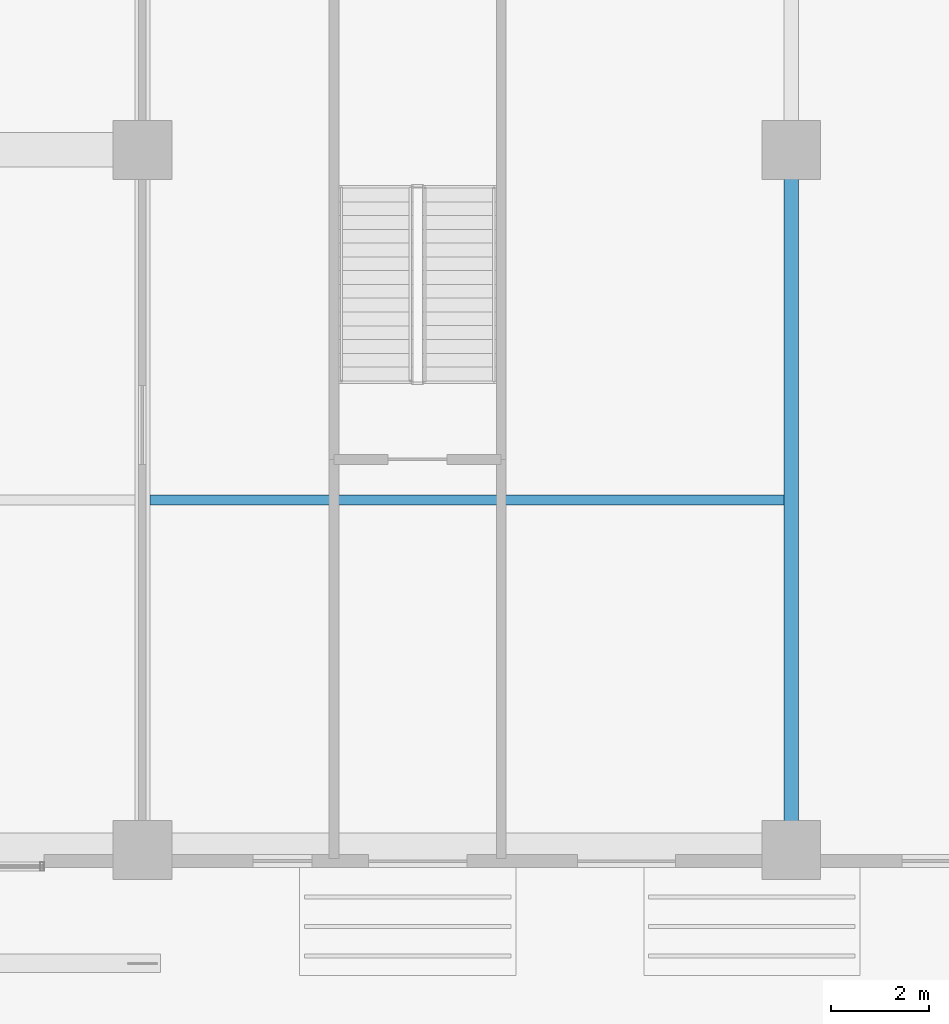
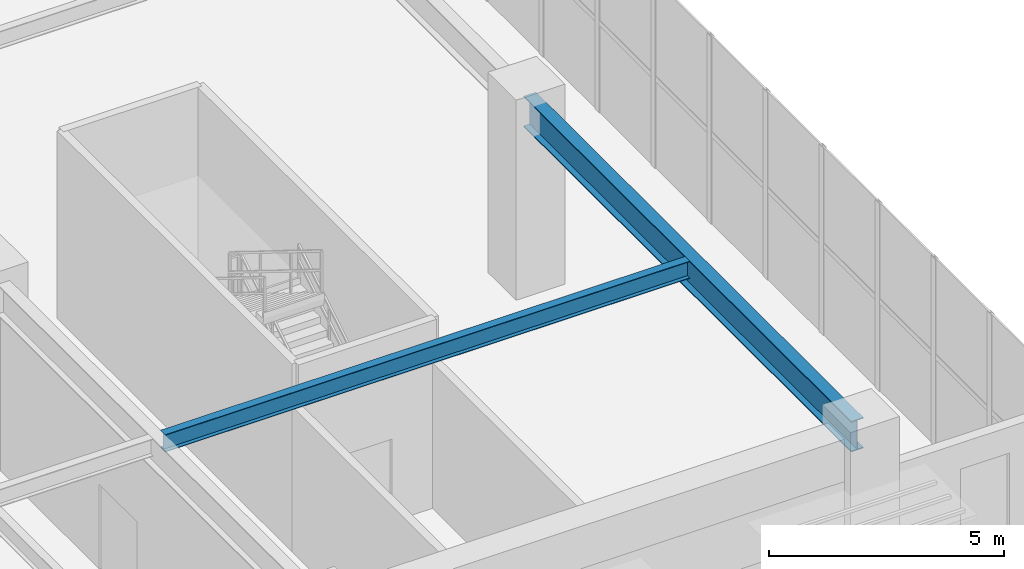
# One storey, part 21 of 40: 2 beams.
"""IFC4 building model written with IfcOpenShell, lengths in metres."""

from ifc_helpers import new_model, si_unit, direction, frame, origin, origin_2d, place, context, subcontext, project, spatial, i_section, extrude, source, transform, mapped, material, material_profile, profile_set, type_object, element, save


model = new_model("IFC4")

# Units and contexts
model_context = context("Model", 3, precision=1e-05, world=origin(), true_north=direction((0.0, 1.0)))
body_context = subcontext(model_context, "Body", "Model", "MODEL_VIEW")
ifc_project = project(units=[si_unit("LENGTHUNIT", "METRE"), si_unit("AREAUNIT", "SQUARE_METRE"), si_unit("VOLUMEUNIT", "CUBIC_METRE"), si_unit("PLANEANGLEUNIT", "RADIAN"), si_unit("MASSUNIT", "GRAM", prefix="KILO")], contexts=[model_context])

# Site, building, storey
site_placement = place(None, origin())
site = spatial("IfcSite", under=ifc_project, at=site_placement, CompositionType="ELEMENT")
building_placement = place(site_placement, origin())
building = spatial("IfcBuilding", under=site, at=building_placement, Name="Trelvane Seafront Commons", CompositionType="ELEMENT")
storey_placement = place(building_placement, origin())
storey = spatial("IfcBuildingStorey", under=building, at=storey_placement, Name="L00", CompositionType="ELEMENT", Elevation=0.0)

# Beams
ifc_material = material(Name="Steel SM355 (S355)", Category="steel")
ifc_material_profile_1 = material_profile(ifc_material, i_section(OverallWidth=0.300048828125, OverallDepth=0.800048828125, WebThickness=0.013916015625, FlangeThickness=0.02587890625, at=origin_2d()), Name="H-800x300x14x26")
ifc_profile_set_1 = profile_set([ifc_material_profile_1], Name="Steel SM355 (S355)")
beam_type_1 = type_object("IfcBeamType", Name="STR-BM-H800", PredefinedType="BEAM", material=ifc_profile_set_1)
shared_shape_1 = source(origin(), body_context, "Body", "SweptSolid", [
    extrude(i_section(OverallWidth=0.300048828125, OverallDepth=0.800048828125, WebThickness=0.013916015625, FlangeThickness=0.02587890625, at=origin_2d()), origin(), (0.0, 0.0, 1.0), 13.949951171875),
])
beam_1_placement = place(storey_placement, frame((72.0, 4.10009765625, 4.47998046875), z_axis=(0.0, 1.0, 0.0), x_axis=(-1.0, 0.0, 0.0)))
element("IfcBeam", 1, at=beam_1_placement, inside=storey, type_object=beam_type_1, Name="L00 Primary Girder G-55", PredefinedType="BEAM", context=body_context, shape_type="MappedRepresentation", body=[
    mapped(shared_shape_1, transform((0.0, 0.0, 0.0), x_axis=(1.0, 0.0, 0.0), y_axis=(0.0, 1.0, 0.0), z_axis=(0.0, 0.0, 1.0), scale=1.0)),
])
ifc_material_profile_2 = material_profile(ifc_material, i_section(OverallWidth=0.199951171875, OverallDepth=0.449951171875, WebThickness=0.009033203125, FlangeThickness=0.013916015625, at=origin_2d()), Name="H-450x200x9x14")
ifc_profile_set_2 = profile_set([ifc_material_profile_2], Name="Steel SM355 (S355)")
beam_type_2 = type_object("IfcBeamType", Name="STR-JST-H450", PredefinedType="JOIST", material=ifc_profile_set_2)
shared_shape_2 = source(origin(), body_context, "Body", "SweptSolid", [
    extrude(i_section(OverallWidth=0.199951171875, OverallDepth=0.449951171875, WebThickness=0.009033203125, FlangeThickness=0.013916015625, at=origin_2d()), origin(), (0.0, 0.0, 1.0), 12.900146484375),
])
beam_2_placement = place(storey_placement, frame((58.949951171875, 11.074951171875, 4.655029296875), z_axis=(1.0, 0.0, 0.0), x_axis=(0.0, 1.0, 0.0)))
element("IfcBeam", 2, at=beam_2_placement, inside=storey, type_object=beam_type_2, Name="L00 Secondary Floor Joist B-64", PredefinedType="JOIST", context=body_context, shape_type="MappedRepresentation", body=[
    mapped(shared_shape_2, transform((0.0, 0.0, 0.0), x_axis=(1.0, 0.0, 0.0), y_axis=(0.0, 1.0, 0.0), z_axis=(0.0, 0.0, 1.0), scale=1.0)),
])

save(model, "model.ifc")
